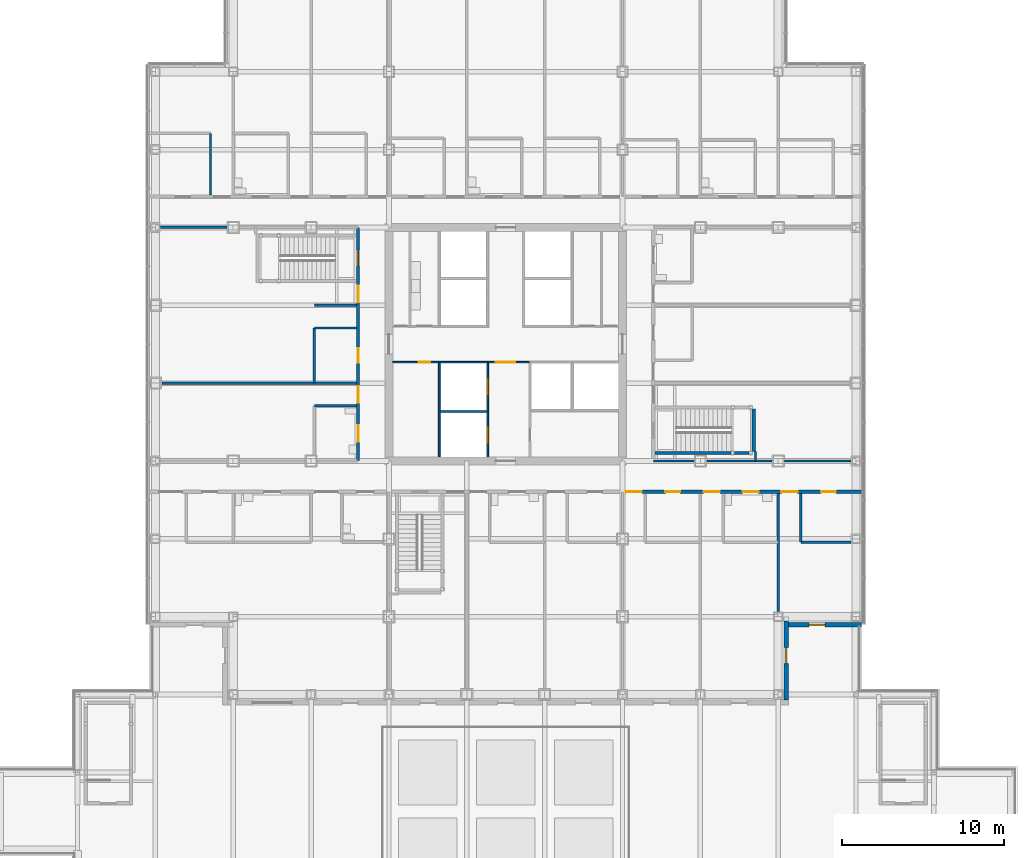
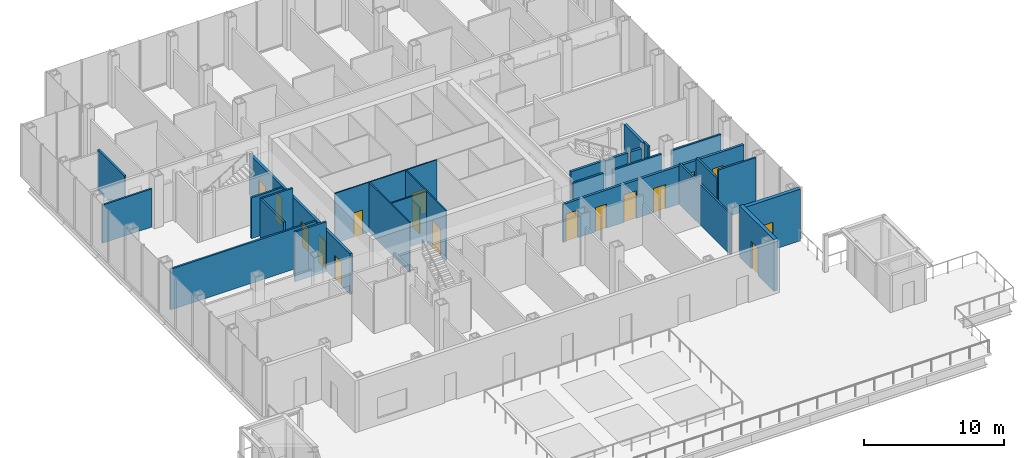
# One storey, part 17 of 24: 26 walls, 17 doors, 17 openings.
"""IFC4 building model written with IfcOpenShell, lengths in metres."""

from ifc_helpers import new_model, si_unit, direction, frame, frame_2d, origin, place, context, subcontext, project, spatial, rectangle, extrude, material, layer, layer_set, type_object, element, fill, save


model = new_model("IFC4")

# Units and contexts
model_context = context("Model", 3, precision=1e-05, world=origin(), true_north=direction((0.0, 1.0)))
body_context = subcontext(model_context, "Body", "Model", "MODEL_VIEW")
ifc_project = project(units=[si_unit("LENGTHUNIT", "METRE"), si_unit("AREAUNIT", "SQUARE_METRE"), si_unit("VOLUMEUNIT", "CUBIC_METRE"), si_unit("PLANEANGLEUNIT", "RADIAN"), si_unit("MASSUNIT", "GRAM", prefix="KILO")], contexts=[model_context])

# Site, building, storey
site_placement = place(None, origin())
site = spatial("IfcSite", under=ifc_project, at=site_placement, CompositionType="ELEMENT")
building_placement = place(site_placement, origin())
building = spatial("IfcBuilding", under=site, at=building_placement, Name="Kvirike Care Tower", CompositionType="ELEMENT")
storey_placement = place(building_placement, frame((0.0, 0.0, 22.5)))
storey = spatial("IfcBuildingStorey", under=building, at=storey_placement, Name="L05", CompositionType="ELEMENT", Elevation=22.5)

# Walls
ifc_material_1 = material(Name="Plasterboard partition", Category="gypsum")
ifc_layer_1 = layer(ifc_material_1, 0.14990234375)
ifc_layer_set_1 = layer_set([ifc_layer_1], Name="CLINIC PARTITION 150")
wall_type_1 = type_object("IfcWallType", Name="CLINIC PARTITION 150", PredefinedType="PARTITIONING", material=ifc_layer_set_1)
wall_1_placement = place(storey_placement, frame((9.800048828125, 37.0, 0.0), z_axis=(0.0, 0.0, 1.0), x_axis=(1.0, 0.0, 0.0)))
element("IfcWall", 1, at=wall_1_placement, inside=storey, type_object=wall_type_1, Name="Clinic Partition 150 L05", PredefinedType="PARTITIONING", context=body_context, shape_type="SweptSolid", body=[
    extrude(rectangle(XDim=2.599853515625, YDim=0.14990234375, at=frame_2d((1.2998046875, 0.0))), origin(), (0.0, 0.0, 1.0), 4.330078125),
])
wall_2_placement = place(storey_placement, frame((9.800048828125, 37.0, 0.0), z_axis=(0.0, 0.0, 1.0), x_axis=(0.0, -1.0, 0.0)))
element("IfcWall", 2, at=wall_2_placement, inside=storey, type_object=wall_type_1, Name="Clinic Partition 150 L05", PredefinedType="PARTITIONING", context=body_context, shape_type="SweptSolid", body=[
    extrude(rectangle(XDim=3.39990234375, YDim=0.14990234375, at=frame_2d((1.699951171875, 0.0))), origin(), (0.0, 0.0, 1.0), 4.330078125),
])
wall_3_placement = place(storey_placement, frame((9.800048828125, 32.199951171875, 0.0), z_axis=(0.0, 0.0, 1.0), x_axis=(1.0, 0.0, 0.0)))
element("IfcWall", 3, at=wall_3_placement, inside=storey, type_object=wall_type_1, Name="Clinic Partition 150 L05", PredefinedType="PARTITIONING", context=body_context, shape_type="SweptSolid", body=[
    extrude(rectangle(XDim=2.599853515625, YDim=0.14990234375, at=frame_2d((1.2998046875, 0.0))), origin(), (0.0, 0.0, 1.0), 4.330078125),
])
wall_4_placement = place(storey_placement, frame((9.800048828125, 38.39990234375, 0.0), z_axis=(0.0, 0.0, 1.0), x_axis=(1.0, 0.0, 0.0)))
element("IfcWall", 4, at=wall_4_placement, inside=storey, type_object=wall_type_1, Name="Clinic Partition 150 L05", PredefinedType="PARTITIONING", context=body_context, shape_type="SweptSolid", body=[
    extrude(rectangle(XDim=2.599853515625, YDim=0.14990234375, at=frame_2d((1.2998046875, 0.0))), origin(), (0.0, 0.0, 1.0), 3.550048828125),
])
wall_5_placement = place(storey_placement, frame((0.39501953125, 33.60009765625, 0.0), z_axis=(0.0, 0.0, 1.0), x_axis=(1.0, 0.0, 0.0)))
element("IfcWall", 5, at=wall_5_placement, inside=storey, type_object=wall_type_1, Name="Clinic Partition 150 L05", PredefinedType="PARTITIONING", context=body_context, shape_type="SweptSolid", body=[
    extrude(rectangle(XDim=12.0048828125, YDim=0.14990234375, at=frame_2d((6.00244140625, 0.0))), origin(), (0.0, 0.0, 1.0), 3.550048828125),
])
wall_6_placement = place(storey_placement, frame((3.39990234375, 49.0, 0.0), z_axis=(0.0, 0.0, 1.0), x_axis=(0.0, -1.0, 0.0)))
element("IfcWall", 6, at=wall_6_placement, inside=storey, type_object=wall_type_1, Name="Clinic Partition 150 L05", PredefinedType="PARTITIONING", context=body_context, shape_type="SweptSolid", body=[
    extrude(rectangle(XDim=3.800048828125, YDim=0.14990234375, at=frame_2d((1.89990234375, 0.0))), origin(), (0.0, 0.0, 1.0), 3.550048828125),
])
wall_7_placement = place(storey_placement, frame((39.800048828125, 23.800048828125, 0.0), z_axis=(0.0, 0.0, 1.0), x_axis=(0.0, 1.0, 0.0)))
element("IfcWall", 7, at=wall_7_placement, inside=storey, type_object=wall_type_1, Name="Clinic Partition 150 L05", PredefinedType="PARTITIONING", context=body_context, shape_type="SweptSolid", body=[
    extrude(rectangle(XDim=3.0, YDim=0.14990234375, at=frame_2d((1.5, 0.0))), origin(), (0.0, 0.0, 1.0), 3.550048828125),
])
wall_8_placement = place(storey_placement, frame((39.800048828125, 23.800048828125, 0.0), z_axis=(0.0, 0.0, 1.0), x_axis=(1.0, 0.0, 0.0)))
element("IfcWall", 8, at=wall_8_placement, inside=storey, type_object=wall_type_1, Name="Clinic Partition 150 L05", PredefinedType="PARTITIONING", context=body_context, shape_type="SweptSolid", body=[
    extrude(rectangle(XDim=3.079833984375, YDim=0.14990234375, at=frame_2d((1.5400390625, 0.0))), origin(), (0.0, 0.0, 1.0), 4.330078125),
])
wall_9_placement = place(storey_placement, frame((38.39990234375, 19.52001953125, 0.0), z_axis=(0.0, 0.0, 1.0), x_axis=(0.0, 1.0, 0.0)))
element("IfcWall", 9, at=wall_9_placement, inside=storey, type_object=wall_type_1, Name="Clinic Partition 150 L05", PredefinedType="PARTITIONING", context=body_context, shape_type="SweptSolid", body=[
    extrude(rectangle(XDim=7.280029296875, YDim=0.14990234375, at=frame_2d((3.64013671875, 0.0))), origin(), (0.0, 0.0, 1.0), 3.550048828125),
])
wall_10_placement = place(storey_placement, frame((37.0, 28.800048828125, 0.0), z_axis=(0.0, 0.0, 1.0), x_axis=(0.0, 1.0, 0.0)))
element("IfcWall", 10, at=wall_10_placement, inside=storey, type_object=wall_type_1, Name="Clinic Partition 150 L05", PredefinedType="PARTITIONING", context=body_context, shape_type="SweptSolid", body=[
    extrude(rectangle(XDim=0.599853515625, YDim=0.14990234375, at=frame_2d((0.2998046875, 0.0))), origin(), (0.0, 0.0, 1.0), 4.330078125),
])
for number, where, z_axis, x_axis, name in (
    (11, (4.405029296875, 43.199951171875, 0.0), (0.0, 0.0, 1.0), (-1.0, 0.0, 0.0), "Clinic Partition 150 L05"),
    (12, (42.8798828125, 28.800048828125, 0.0), (0.0, 0.0, 1.0), (-1.0, 0.0, 0.0), "Clinic Partition 150 L05"),
):
    element("IfcWall", number, at=place(storey_placement, frame(where, z_axis=z_axis, x_axis=x_axis)), inside=storey, type_object=wall_type_1, Name=name, PredefinedType="PARTITIONING", context=body_context, shape_type="SweptSolid", body=[
        extrude(rectangle(XDim=4.0849609375, YDim=0.14990234375, at=frame_2d((2.04248046875, 0.0))), origin(), (0.0, 0.0, 1.0), 3.320068359375),
    ])
wall_11_placement = place(storey_placement, frame((38.0048828125, 28.800048828125, 0.0), z_axis=(0.0, 0.0, 1.0), x_axis=(-1.0, 0.0, 0.0)))
element("IfcWall", 13, at=wall_11_placement, inside=storey, type_object=wall_type_1, Name="Clinic Partition 150 L05", PredefinedType="PARTITIONING", context=body_context, shape_type="SweptSolid", body=[
    extrude(rectangle(XDim=4.009765625, YDim=0.14990234375, at=frame_2d((2.0048828125, 0.0))), origin(), (0.0, 0.0, 1.0), 3.320068359375),
])
wall_12_placement = place(storey_placement, frame((33.205078125, 28.800048828125, 0.0), z_axis=(0.0, 0.0, 1.0), x_axis=(-1.0, 0.0, 0.0)))
element("IfcWall", 14, at=wall_12_placement, inside=storey, type_object=wall_type_1, Name="Clinic Partition 150 L05", PredefinedType="PARTITIONING", context=body_context, shape_type="SweptSolid", body=[
    extrude(rectangle(XDim=2.505126953125, YDim=0.14990234375, at=frame_2d((1.25244140625, 0.0))), origin(), (0.0, 0.0, 1.0), 3.320068359375),
])

# Wall, openings, doors
ifc_material_2 = material(Name="Plasterboard corridor wall", Category="gypsum")
ifc_layer_2 = layer(ifc_material_2, 0.199951171875)
ifc_layer_set_2 = layer_set([ifc_layer_2], Name="CORRIDOR WALL 200")
wall_type_2 = type_object("IfcWallType", Name="CORRIDOR WALL 200", PredefinedType="PARTITIONING", material=ifc_layer_set_2)
wall_13_placement = place(storey_placement, frame((12.5, 43.199951171875, 0.0), z_axis=(0.0, 0.0, 1.0), x_axis=(0.0, -1.0, 0.0)))
wall_13 = element("IfcWall", 15, at=wall_13_placement, inside=storey, type_object=wall_type_2, Name="Corridor Wall 200 L05", PredefinedType="PARTITIONING", context=body_context, shape_type="SweptSolid", body=[
    extrude(rectangle(XDim=14.39990234375, YDim=0.199951171875, at=frame_2d((7.199951171875, 0.0))), origin(), (0.0, 0.0, 1.0), 3.550048828125),
])
opening_1_placement = place(wall_13_placement, frame((1.39990234375, 0.0, 0.0)))
opening_1 = element("IfcOpeningElement", 16, at=opening_1_placement, cuts=wall_13, Name="Opening 05-006", PredefinedType="OPENING", context=body_context, shape_type="SweptSolid", body=[
    extrude(rectangle(XDim=1.0, YDim=2.10009765625, at=frame_2d((0.5, 1.050048828125))), frame((0.0, 0.110595703125, 0.0), z_axis=(0.0, -1.0, 0.0), x_axis=(1.0, 0.0, 0.0)), (0.0, 0.0, 1.0), 0.220947265625),
])
opening_2_placement = place(wall_13_placement, frame((3.60009765625, 0.0, 0.0)))
opening_2 = element("IfcOpeningElement", 17, at=opening_2_placement, cuts=wall_13, Name="Opening 05-007", PredefinedType="OPENING", context=body_context, shape_type="SweptSolid", body=[
    extrude(rectangle(XDim=1.0, YDim=2.39990234375, at=frame_2d((0.5, 1.199951171875))), frame((0.0, 0.110595703125, 0.0), z_axis=(0.0, -1.0, 0.0), x_axis=(1.0, 0.0, 0.0)), (0.0, 0.0, 1.0), 0.220947265625),
])
opening_3_placement = place(wall_13_placement, frame((9.800048828125, 0.0, 0.0)))
opening_3 = element("IfcOpeningElement", 18, at=opening_3_placement, cuts=wall_13, Name="Opening 05-008", PredefinedType="OPENING", context=body_context, shape_type="SweptSolid", body=[
    extrude(rectangle(XDim=1.0, YDim=2.39990234375, at=frame_2d((0.5, 1.199951171875))), frame((0.0, 0.110595703125, 0.0), z_axis=(0.0, -1.0, 0.0), x_axis=(1.0, 0.0, 0.0)), (0.0, 0.0, 1.0), 0.220947265625),
])
opening_4_placement = place(wall_13_placement, frame((7.449951171875, 0.0, 0.0)))
opening_4 = element("IfcOpeningElement", 19, at=opening_4_placement, cuts=wall_13, Name="Opening 05-009", PredefinedType="OPENING", context=body_context, shape_type="SweptSolid", body=[
    extrude(rectangle(XDim=0.89990234375, YDim=2.10009765625, at=frame_2d((0.449951171875, 1.050048828125))), frame((0.0, 0.110595703125, 0.0), z_axis=(0.0, -1.0, 0.0), x_axis=(1.0, 0.0, 0.0)), (0.0, 0.0, 1.0), 0.220947265625),
])
opening_5_placement = place(wall_13_placement, frame((12.199951171875, 0.0, 0.0)))
opening_5 = element("IfcOpeningElement", 20, at=opening_5_placement, cuts=wall_13, Name="Opening 05-010", PredefinedType="OPENING", context=body_context, shape_type="SweptSolid", body=[
    extrude(rectangle(XDim=1.0, YDim=2.10009765625, at=frame_2d((0.5, 1.050048828125))), frame((0.0, 0.110595703125, 0.0), z_axis=(0.0, -1.0, 0.0), x_axis=(1.0, 0.0, 0.0)), (0.0, 0.0, 1.0), 0.220947265625),
])
ifc_material_3 = material(Name="Timber door set", Category="wood")
door_type_1 = type_object("IfcDoorType", Name="CONSULTING ROOM DOOR 1000", OperationType="SINGLE_SWING_LEFT", PredefinedType="DOOR", material=ifc_material_3)
door_1_placement = place(opening_2_placement, frame((1.0, 0.0, 0.0), z_axis=(0.0, 0.0, 1.0), x_axis=(-1.0, 0.0, 0.0)))
door_1 = element("IfcDoor", 21, at=door_1_placement, inside=storey, type_object=door_type_1, Name="Library door", OperationType="SINGLE_SWING_LEFT", OverallHeight=2.39990234375, OverallWidth=1.0, PredefinedType="DOOR", context=body_context, shape_type="SweptSolid", body=[
    extrude(rectangle(XDim=1.0, YDim=2.39990234375, at=frame_2d((0.5, 1.199951171875))), frame((0.0, 0.02685546875, 0.0), z_axis=(0.0, -1.0, 0.0), x_axis=(1.0, 0.0, 0.0)), (0.0, 0.0, 1.0), 0.053955078125),
])
fill(opening_2, door_1)
door_2_placement = place(opening_3_placement, frame((1.0, 0.0, 0.0), z_axis=(0.0, 0.0, 1.0), x_axis=(-1.0, 0.0, 0.0)))
door_2 = element("IfcDoor", 22, at=door_2_placement, inside=storey, type_object=door_type_1, Name="Computer room door", OperationType="SINGLE_SWING_LEFT", OverallHeight=2.39990234375, OverallWidth=1.0, PredefinedType="DOOR", context=body_context, shape_type="SweptSolid", body=[
    extrude(rectangle(XDim=1.0, YDim=2.39990234375, at=frame_2d((0.5, 1.199951171875))), frame((0.0, 0.02685546875, 0.0), z_axis=(0.0, -1.0, 0.0), x_axis=(1.0, 0.0, 0.0)), (0.0, 0.0, 1.0), 0.053955078125),
])
fill(opening_3, door_2)
ifc_material_4 = material(Name="Timber door set", Category="wood")
door_type_2 = type_object("IfcDoorType", Name="STAIR DOOR 1000", OperationType="SINGLE_SWING_LEFT", PredefinedType="DOOR", material=ifc_material_4)
door_3_placement = place(opening_1_placement, frame((1.0, 0.0, 0.0), z_axis=(0.0, 0.0, 1.0), x_axis=(-1.0, 0.0, 0.0)))
door_3 = element("IfcDoor", 23, at=door_3_placement, inside=storey, type_object=door_type_2, Name="Stair 1 door", OperationType="SINGLE_SWING_LEFT", OverallHeight=2.10009765625, OverallWidth=1.0, PredefinedType="DOOR", context=body_context, shape_type="SweptSolid", body=[
    extrude(rectangle(XDim=1.0, YDim=2.10009765625, at=frame_2d((0.5, 1.050048828125))), frame((0.0, 0.031982421875, 0.0), z_axis=(0.0, -1.0, 0.0), x_axis=(1.0, 0.0, 0.0)), (0.0, 0.0, 1.0), 0.06396484375),
])
fill(opening_1, door_3)
ifc_material_5 = material(Name="Timber door set", Category="wood")
door_type_3 = type_object("IfcDoorType", Name="STORE DOOR 900", OperationType="SINGLE_SWING_LEFT", PredefinedType="DOOR", material=ifc_material_5)
door_4_placement = place(opening_4_placement, frame((0.89990234375, 0.0, 0.0), z_axis=(0.0, 0.0, 1.0), x_axis=(-1.0, 0.0, 0.0)))
door_4 = element("IfcDoor", 24, at=door_4_placement, inside=storey, type_object=door_type_3, Name="Store door", OperationType="SINGLE_SWING_LEFT", OverallHeight=2.10009765625, OverallWidth=0.89990234375, PredefinedType="DOOR", context=body_context, shape_type="SweptSolid", body=[
    extrude(rectangle(XDim=0.89990234375, YDim=2.10009765625, at=frame_2d((0.449951171875, 1.050048828125))), frame((0.0, 0.02685546875, 0.0), z_axis=(0.0, -1.0, 0.0), x_axis=(1.0, 0.0, 0.0)), (0.0, 0.0, 1.0), 0.053955078125),
])
fill(opening_4, door_4)
ifc_material_6 = material(Name="Timber door set", Category="wood")
door_type_4 = type_object("IfcDoorType", Name="WC DOOR 1000", OperationType="SINGLE_SWING_LEFT", PredefinedType="DOOR", material=ifc_material_6)
door_5_placement = place(opening_5_placement, frame((1.0, 0.0, 0.0), z_axis=(0.0, 0.0, 1.0), x_axis=(-1.0, 0.0, 0.0)))
door_5 = element("IfcDoor", 25, at=door_5_placement, inside=storey, type_object=door_type_4, Name="Staff WC door", OperationType="SINGLE_SWING_RIGHT", OverallHeight=2.10009765625, OverallWidth=1.0, PredefinedType="DOOR", context=body_context, shape_type="SweptSolid", body=[
    extrude(rectangle(XDim=1.0, YDim=2.10009765625, at=frame_2d((0.5, 1.050048828125))), frame((0.0, 0.02685546875, 0.0), z_axis=(0.0, -1.0, 0.0), x_axis=(1.0, 0.0, 0.0)), (0.0, 0.0, 1.0), 0.053955078125),
])
fill(opening_5, door_5)

wall_14_placement = place(storey_placement, frame((28.800048828125, 26.89990234375, 0.0), z_axis=(0.0, 0.0, 1.0), x_axis=(1.0, 0.0, 0.0)))
wall_14 = element("IfcWall", 26, at=wall_14_placement, inside=storey, type_object=wall_type_2, Name="Corridor Wall 200 L05", PredefinedType="PARTITIONING", context=body_context, shape_type="SweptSolid", body=[
    extrude(rectangle(XDim=14.85498046875, YDim=0.199951171875, at=frame_2d((7.427490234375, 0.0))), origin(), (0.0, 0.0, 1.0), 3.320068359375),
])
opening_6_placement = place(wall_14_placement, frame((0.199951171875, 0.0, 0.0)))
opening_6 = element("IfcOpeningElement", 27, at=opening_6_placement, cuts=wall_14, Name="Opening 05-029", PredefinedType="OPENING", context=body_context, shape_type="SweptSolid", body=[
    extrude(rectangle(XDim=1.0, YDim=2.39990234375, at=frame_2d((0.5, 1.199951171875))), frame((0.0, 0.110595703125, 0.0), z_axis=(0.0, -1.0, 0.0), x_axis=(1.0, 0.0, 0.0)), (0.0, 0.0, 1.0), 0.220947265625),
])
opening_7_placement = place(wall_14_placement, frame((5.0, 0.0, 0.0)))
opening_7 = element("IfcOpeningElement", 28, at=opening_7_placement, cuts=wall_14, Name="Opening 05-030", PredefinedType="OPENING", context=body_context, shape_type="SweptSolid", body=[
    extrude(rectangle(XDim=1.0, YDim=2.39990234375, at=frame_2d((0.5, 1.199951171875))), frame((0.0, 0.110595703125, 0.0), z_axis=(0.0, -1.0, 0.0), x_axis=(1.0, 0.0, 0.0)), (0.0, 0.0, 1.0), 0.220947265625),
])
opening_8_placement = place(wall_14_placement, frame((9.800048828125, 0.0, 0.0)))
opening_8 = element("IfcOpeningElement", 29, at=opening_8_placement, cuts=wall_14, Name="Opening 05-031", PredefinedType="OPENING", context=body_context, shape_type="SweptSolid", body=[
    extrude(rectangle(XDim=1.0, YDim=2.39990234375, at=frame_2d((0.5, 1.199951171875))), frame((0.0, 0.110595703125, 0.0), z_axis=(0.0, -1.0, 0.0), x_axis=(1.0, 0.0, 0.0)), (0.0, 0.0, 1.0), 0.220947265625),
])
opening_9_placement = place(wall_14_placement, frame((2.64990234375, 0.0, 0.0)))
opening_9 = element("IfcOpeningElement", 30, at=opening_9_placement, cuts=wall_14, Name="Opening 05-032", PredefinedType="OPENING", context=body_context, shape_type="SweptSolid", body=[
    extrude(rectangle(XDim=0.89990234375, YDim=2.10009765625, at=frame_2d((0.449951171875, 1.050048828125))), frame((0.0, 0.110595703125, 0.0), z_axis=(0.0, -1.0, 0.0), x_axis=(1.0, 0.0, 0.0)), (0.0, 0.0, 1.0), 0.220947265625),
])
opening_10_placement = place(wall_14_placement, frame((7.39990234375, 0.0, 0.0)))
opening_10 = element("IfcOpeningElement", 31, at=opening_10_placement, cuts=wall_14, Name="Opening 05-033", PredefinedType="OPENING", context=body_context, shape_type="SweptSolid", body=[
    extrude(rectangle(XDim=1.0, YDim=2.10009765625, at=frame_2d((0.5, 1.050048828125))), frame((0.0, 0.110595703125, 0.0), z_axis=(0.0, -1.0, 0.0), x_axis=(1.0, 0.0, 0.0)), (0.0, 0.0, 1.0), 0.220947265625),
])
opening_11_placement = place(wall_14_placement, frame((12.25, 0.0, 0.0)))
opening_11 = element("IfcOpeningElement", 32, at=opening_11_placement, cuts=wall_14, Name="Opening 05-034", PredefinedType="OPENING", context=body_context, shape_type="SweptSolid", body=[
    extrude(rectangle(XDim=0.89990234375, YDim=2.10009765625, at=frame_2d((0.449951171875, 1.050048828125))), frame((0.0, 0.110595703125, 0.0), z_axis=(0.0, -1.0, 0.0), x_axis=(1.0, 0.0, 0.0)), (0.0, 0.0, 1.0), 0.220947265625),
])
door_6_placement = place(opening_6_placement, frame((1.0, 0.0, 0.0), z_axis=(0.0, 0.0, 1.0), x_axis=(-1.0, 0.0, 0.0)))
door_6 = element("IfcDoor", 33, at=door_6_placement, inside=storey, type_object=door_type_1, Name="Garden room door", OperationType="SINGLE_SWING_RIGHT", OverallHeight=2.39990234375, OverallWidth=1.0, PredefinedType="DOOR", context=body_context, shape_type="SweptSolid", body=[
    extrude(rectangle(XDim=1.0, YDim=2.39990234375, at=frame_2d((0.5, 1.199951171875))), frame((0.0, 0.02685546875, 0.0), z_axis=(0.0, -1.0, 0.0), x_axis=(1.0, 0.0, 0.0)), (0.0, 0.0, 1.0), 0.053955078125),
])
fill(opening_6, door_6)
door_7_placement = place(opening_7_placement, frame((1.0, 0.0, 0.0), z_axis=(0.0, 0.0, 1.0), x_axis=(-1.0, 0.0, 0.0)))
door_7 = element("IfcDoor", 34, at=door_7_placement, inside=storey, type_object=door_type_1, Name="Garden room door", OperationType="SINGLE_SWING_RIGHT", OverallHeight=2.39990234375, OverallWidth=1.0, PredefinedType="DOOR", context=body_context, shape_type="SweptSolid", body=[
    extrude(rectangle(XDim=1.0, YDim=2.39990234375, at=frame_2d((0.5, 1.199951171875))), frame((0.0, 0.02685546875, 0.0), z_axis=(0.0, -1.0, 0.0), x_axis=(1.0, 0.0, 0.0)), (0.0, 0.0, 1.0), 0.053955078125),
])
fill(opening_7, door_7)
door_8_placement = place(opening_8_placement, frame((1.0, 0.0, 0.0), z_axis=(0.0, 0.0, 1.0), x_axis=(-1.0, 0.0, 0.0)))
door_8 = element("IfcDoor", 35, at=door_8_placement, inside=storey, type_object=door_type_1, Name="Quiet room door", OperationType="SINGLE_SWING_RIGHT", OverallHeight=2.39990234375, OverallWidth=1.0, PredefinedType="DOOR", context=body_context, shape_type="SweptSolid", body=[
    extrude(rectangle(XDim=1.0, YDim=2.39990234375, at=frame_2d((0.5, 1.199951171875))), frame((0.0, 0.02685546875, 0.0), z_axis=(0.0, -1.0, 0.0), x_axis=(1.0, 0.0, 0.0)), (0.0, 0.0, 1.0), 0.053955078125),
])
fill(opening_8, door_8)
door_9_placement = place(opening_9_placement, frame((0.89990234375, 0.0, 0.0), z_axis=(0.0, 0.0, 1.0), x_axis=(-1.0, 0.0, 0.0)))
door_9 = element("IfcDoor", 36, at=door_9_placement, inside=storey, type_object=door_type_3, Name="Store door", OperationType="SINGLE_SWING_RIGHT", OverallHeight=2.10009765625, OverallWidth=0.89990234375, PredefinedType="DOOR", context=body_context, shape_type="SweptSolid", body=[
    extrude(rectangle(XDim=0.89990234375, YDim=2.10009765625, at=frame_2d((0.449951171875, 1.050048828125))), frame((0.0, 0.02685546875, 0.0), z_axis=(0.0, -1.0, 0.0), x_axis=(1.0, 0.0, 0.0)), (0.0, 0.0, 1.0), 0.053955078125),
])
fill(opening_9, door_9)
door_10_placement = place(opening_11_placement, frame((0.89990234375, 0.0, 0.0), z_axis=(0.0, 0.0, 1.0), x_axis=(-1.0, 0.0, 0.0)))
door_10 = element("IfcDoor", 37, at=door_10_placement, inside=storey, type_object=door_type_3, Name="Store door", OperationType="SINGLE_SWING_LEFT", OverallHeight=2.10009765625, OverallWidth=0.89990234375, PredefinedType="DOOR", context=body_context, shape_type="SweptSolid", body=[
    extrude(rectangle(XDim=0.89990234375, YDim=2.10009765625, at=frame_2d((0.449951171875, 1.050048828125))), frame((0.0, 0.02685546875, 0.0), z_axis=(0.0, -1.0, 0.0), x_axis=(1.0, 0.0, 0.0)), (0.0, 0.0, 1.0), 0.053955078125),
])
fill(opening_11, door_10)
door_11_placement = place(opening_10_placement, frame((1.0, 0.0, 0.0), z_axis=(0.0, 0.0, 1.0), x_axis=(-1.0, 0.0, 0.0)))
door_11 = element("IfcDoor", 38, at=door_11_placement, inside=storey, type_object=door_type_4, Name="Accessible WC door", OperationType="SINGLE_SWING_RIGHT", OverallHeight=2.10009765625, OverallWidth=1.0, PredefinedType="DOOR", context=body_context, shape_type="SweptSolid", body=[
    extrude(rectangle(XDim=1.0, YDim=2.10009765625, at=frame_2d((0.5, 1.050048828125))), frame((0.0, 0.02685546875, 0.0), z_axis=(0.0, -1.0, 0.0), x_axis=(1.0, 0.0, 0.0)), (0.0, 0.0, 1.0), 0.053955078125),
])
fill(opening_10, door_11)

ifc_material_7 = material(Name="Gypsum shaft wall system", Category="gypsum")
ifc_layer_3 = layer(ifc_material_7, 0.10009765625)
ifc_layer_set_3 = layer_set([ifc_layer_3], Name="SHAFT WALL 100")
wall_type_3 = type_object("IfcWallType", Name="SHAFT WALL 100", PredefinedType="SOLIDWALL", material=ifc_layer_set_3)
wall_15_placement = place(storey_placement, frame((20.5, 29.050048828125, 0.0), z_axis=(0.0, 0.0, 1.0), x_axis=(0.0, 1.0, 0.0)))
wall_15 = element("IfcWall", 39, at=wall_15_placement, inside=storey, type_object=wall_type_3, Name="Shaft Wall 100 L05", PredefinedType="SOLIDWALL", context=body_context, shape_type="SweptSolid", body=[
    extrude(rectangle(XDim=5.800048828125, YDim=0.10009765625, at=frame_2d((2.89990234375, 0.0))), origin(), (0.0, 0.0, 1.0), 4.330078125),
])
opening_12_placement = place(wall_15_placement, frame((0.800048828125, 0.0, 0.0)))
opening_12 = element("IfcOpeningElement", 40, at=opening_12_placement, cuts=wall_15, Name="Opening 05-049", PredefinedType="OPENING", context=body_context, shape_type="SweptSolid", body=[
    extrude(rectangle(XDim=1.10009765625, YDim=2.300048828125, at=frame_2d((0.550048828125, 1.14990234375))), frame((0.0, 0.060546875, 0.0), z_axis=(0.0, -1.0, 0.0), x_axis=(1.0, 0.0, 0.0)), (0.0, 0.0, 1.0), 0.12109375),
])
opening_13_placement = place(wall_15_placement, frame((3.77490234375, 0.0, 0.0)))
opening_13 = element("IfcOpeningElement", 41, at=opening_13_placement, cuts=wall_15, Name="Opening 05-050", PredefinedType="OPENING", context=body_context, shape_type="SweptSolid", body=[
    extrude(rectangle(XDim=1.10009765625, YDim=2.300048828125, at=frame_2d((0.550048828125, 1.14990234375))), frame((0.0, 0.060546875, 0.0), z_axis=(0.0, -1.0, 0.0), x_axis=(1.0, 0.0, 0.0)), (0.0, 0.0, 1.0), 0.12109375),
])
ifc_material_8 = material(Name="Aluminium door frame", Category="aluminium")
door_type_5 = type_object("IfcDoorType", Name="FIRE-FIGHTING LIFT LANDING DOOR 1100", OperationType="SLIDING_TO_LEFT", PredefinedType="DOOR", material=ifc_material_8)
door_12_placement = place(opening_12_placement, origin())
door_12 = element("IfcDoor", 42, at=door_12_placement, inside=storey, type_object=door_type_5, Name="Lift FF1 landing door", OperationType="SLIDING_TO_LEFT", OverallHeight=2.300048828125, OverallWidth=1.10009765625, PredefinedType="DOOR", context=body_context, shape_type="SweptSolid", body=[
    extrude(rectangle(XDim=1.10009765625, YDim=2.300048828125, at=frame_2d((0.550048828125, 1.14990234375))), frame((0.0, 0.0498046875, 0.0), z_axis=(0.0, -1.0, 0.0), x_axis=(1.0, 0.0, 0.0)), (0.0, 0.0, 1.0), 0.099609375),
])
fill(opening_12, door_12)
door_13_placement = place(opening_13_placement, origin())
door_13 = element("IfcDoor", 43, at=door_13_placement, inside=storey, type_object=door_type_5, Name="Lift FF2 landing door", OperationType="SLIDING_TO_LEFT", OverallHeight=2.300048828125, OverallWidth=1.10009765625, PredefinedType="DOOR", context=body_context, shape_type="SweptSolid", body=[
    extrude(rectangle(XDim=1.10009765625, YDim=2.300048828125, at=frame_2d((0.550048828125, 1.14990234375))), frame((0.0, 0.0498046875, 0.0), z_axis=(0.0, -1.0, 0.0), x_axis=(1.0, 0.0, 0.0)), (0.0, 0.0, 1.0), 0.099609375),
])
fill(opening_13, door_13)

# Wall, opening, door
wall_16_placement = place(storey_placement, frame((14.64990234375, 34.89990234375, 0.0), z_axis=(0.0, 0.0, 1.0), x_axis=(1.0, 0.0, 0.0)))
wall_16 = element("IfcWall", 44, at=wall_16_placement, inside=storey, type_object=wall_type_3, Name="Shaft Wall 100 L05", PredefinedType="SOLIDWALL", context=body_context, shape_type="SweptSolid", body=[
    extrude(rectangle(XDim=5.900146484375, YDim=0.10009765625, at=frame_2d((2.9501953125, 0.0))), origin(), (0.0, 0.0, 1.0), 4.330078125),
])
opening_14_placement = place(wall_16_placement, frame((1.60009765625, 0.0, 0.0)))
opening_14 = element("IfcOpeningElement", 45, at=opening_14_placement, cuts=wall_16, Name="Opening 05-054", PredefinedType="OPENING", context=body_context, shape_type="SweptSolid", body=[
    extrude(rectangle(XDim=0.699951171875, YDim=2.10009765625, at=frame_2d((0.35009765625, 1.050048828125))), frame((0.0, 0.060546875, 0.0), z_axis=(0.0, -1.0, 0.0), x_axis=(1.0, 0.0, 0.0)), (0.0, 0.0, 1.0), 0.12109375),
])
ifc_material_9 = material(Name="Timber door set", Category="wood")
door_type_6 = type_object("IfcDoorType", Name="RISER DOOR 700", OperationType="SINGLE_SWING_LEFT", PredefinedType="DOOR", material=ifc_material_9)
door_14_placement = place(opening_14_placement, frame((0.699951171875, 0.0, 0.0), z_axis=(0.0, 0.0, 1.0), x_axis=(-1.0, 0.0, 0.0)))
door_14 = element("IfcDoor", 46, at=door_14_placement, inside=storey, type_object=door_type_6, Name="Riser door", OperationType="SINGLE_SWING_RIGHT", OverallHeight=2.10009765625, OverallWidth=0.699951171875, PredefinedType="DOOR", context=body_context, shape_type="SweptSolid", body=[
    extrude(rectangle(XDim=0.699951171875, YDim=2.10009765625, at=frame_2d((0.35009765625, 1.050048828125))), frame((0.0, 0.02685546875, 0.0), z_axis=(0.0, -1.0, 0.0), x_axis=(1.0, 0.0, 0.0)), (0.0, 0.0, 1.0), 0.053955078125),
])
fill(opening_14, door_14)

wall_17_placement = place(storey_placement, frame((20.550048828125, 34.89990234375, 0.0), z_axis=(0.0, 0.0, 1.0), x_axis=(1.0, 0.0, 0.0)))
wall_17 = element("IfcWall", 47, at=wall_17_placement, inside=storey, type_object=wall_type_3, Name="Shaft Wall 100 L05", PredefinedType="SOLIDWALL", context=body_context, shape_type="SweptSolid", body=[
    extrude(rectangle(XDim=2.5, YDim=0.10009765625, at=frame_2d((1.25, 0.0))), origin(), (0.0, 0.0, 1.0), 4.330078125),
])
opening_15_placement = place(wall_17_placement, frame((0.449951171875, 0.0, 0.0)))
opening_15 = element("IfcOpeningElement", 48, at=opening_15_placement, cuts=wall_17, Name="Opening 05-059", PredefinedType="OPENING", context=body_context, shape_type="SweptSolid", body=[
    extrude(rectangle(XDim=1.199951171875, YDim=2.10009765625, at=frame_2d((0.60009765625, 1.050048828125))), frame((0.0, 0.060546875, 0.0), z_axis=(0.0, -1.0, 0.0), x_axis=(1.0, 0.0, 0.0)), (0.0, 0.0, 1.0), 0.12109375),
])
ifc_material_10 = material(Name="Timber door set", Category="wood")
door_type_7 = type_object("IfcDoorType", Name="CORE DOOR 1200", OperationType="SINGLE_SWING_LEFT", PredefinedType="DOOR", material=ifc_material_10)
door_15_placement = place(opening_15_placement, frame((1.199951171875, 0.0, 0.0), z_axis=(0.0, 0.0, 1.0), x_axis=(-1.0, 0.0, 0.0)))
door_15 = element("IfcDoor", 49, at=door_15_placement, inside=storey, type_object=door_type_7, Name="Fire-fighting lobby door", OperationType="SINGLE_SWING_LEFT", OverallHeight=2.10009765625, OverallWidth=1.199951171875, PredefinedType="DOOR", context=body_context, shape_type="SweptSolid", body=[
    extrude(rectangle(XDim=1.199951171875, YDim=2.10009765625, at=frame_2d((0.60009765625, 1.050048828125))), frame((0.0, 0.02685546875, 0.0), z_axis=(0.0, -1.0, 0.0), x_axis=(1.0, 0.0, 0.0)), (0.0, 0.0, 1.0), 0.053955078125),
])
fill(opening_15, door_15)

# Walls
wall_18_placement = place(storey_placement, frame((17.5, 29.050048828125, 0.0), z_axis=(0.0, 0.0, 1.0), x_axis=(0.0, 1.0, 0.0)))
element("IfcWall", 50, at=wall_18_placement, inside=storey, type_object=wall_type_3, Name="Shaft Wall 100 L05", PredefinedType="SOLIDWALL", context=body_context, shape_type="SweptSolid", body=[
    extrude(rectangle(XDim=5.800048828125, YDim=0.10009765625, at=frame_2d((2.89990234375, 0.0))), origin(), (0.0, 0.0, 1.0), 4.330078125),
])
wall_19_placement = place(storey_placement, frame((17.550048828125, 31.85009765625, 0.0), z_axis=(0.0, 0.0, 1.0), x_axis=(1.0, 0.0, 0.0)))
element("IfcWall", 51, at=wall_19_placement, inside=storey, type_object=wall_type_3, Name="Shaft Wall 100 L05", PredefinedType="SOLIDWALL", context=body_context, shape_type="SweptSolid", body=[
    extrude(rectangle(XDim=2.89990234375, YDim=0.10009765625, at=frame_2d((1.449951171875, 0.0))), origin(), (0.0, 0.0, 1.0), 4.330078125),
])
ifc_material_11 = material(Name="Concrete C40/50", Category="concrete")
ifc_layer_4 = layer(ifc_material_11, 0.199951171875)
ifc_layer_set_4 = layer_set([ifc_layer_4], Name="STAIR WALL 200")
wall_type_4 = type_object("IfcWallType", Name="STAIR WALL 200", PredefinedType="SOLIDWALL", material=ifc_layer_set_4)
wall_20_placement = place(storey_placement, frame((36.60009765625, 29.300048828125, 0.0), z_axis=(0.0, 0.0, 1.0), x_axis=(-1.0, 0.0, 0.0)))
element("IfcWall", 52, at=wall_20_placement, inside=storey, type_object=wall_type_4, Name="Stair Wall 200 L05", PredefinedType="SOLIDWALL", context=body_context, shape_type="SweptSolid", body=[
    extrude(rectangle(XDim=0.900146484375, YDim=0.199951171875, at=frame_2d((0.4501953125, 0.0))), origin(), (0.0, 0.0, 1.0), 3.989990234375),
])
wall_21_placement = place(storey_placement, frame((35.5, 29.300048828125, 0.0), z_axis=(0.0, 0.0, 1.0), x_axis=(-1.0, 0.0, 0.0)))
element("IfcWall", 53, at=wall_21_placement, inside=storey, type_object=wall_type_4, Name="Stair Wall 200 L05", PredefinedType="SOLIDWALL", context=body_context, shape_type="SweptSolid", body=[
    extrude(rectangle(XDim=4.699951171875, YDim=0.199951171875, at=frame_2d((2.35009765625, 0.0))), origin(), (0.0, 0.0, 1.0), 3.989990234375),
])
wall_22_placement = place(storey_placement, frame((36.89990234375, 29.39990234375, 0.0), z_axis=(0.0, 0.0, 1.0), x_axis=(0.0, 1.0, 0.0)))
element("IfcWall", 54, at=wall_22_placement, inside=storey, type_object=wall_type_4, Name="Stair Wall 200 L05", PredefinedType="SOLIDWALL", context=body_context, shape_type="SweptSolid", body=[
    extrude(rectangle(XDim=2.60009765625, YDim=0.199951171875, at=frame_2d((1.300048828125, 0.0))), origin(), (0.0, 0.0, 1.0), 4.330078125),
])

# Wall, opening, door
ifc_material_12 = material(Name="Bronze-clad insulated blockwork wall", Category="masonry")
ifc_layer_5 = layer(ifc_material_12, 0.300048828125)
ifc_layer_set_5 = layer_set([ifc_layer_5], Name="TERRACE WALL 300")
wall_type_5 = type_object("IfcWallType", Name="TERRACE WALL 300", PredefinedType="SOLIDWALL", material=ifc_layer_set_5)
wall_23_placement = place(storey_placement, frame((38.89990234375, 14.050048828125, 0.0), z_axis=(0.0, 0.0, 1.0), x_axis=(0.0, 1.0, 0.0)))
wall_23 = element("IfcWall", 55, at=wall_23_placement, inside=storey, type_object=wall_type_5, Name="Terrace wall L05 face 5", PredefinedType="SOLIDWALL", context=body_context, shape_type="SweptSolid", body=[
    extrude(rectangle(XDim=4.89990234375, YDim=0.300048828125, at=frame_2d((2.449951171875, 0.0))), origin(), (0.0, 0.0, 1.0), 4.5),
])
opening_16_placement = place(wall_23_placement, frame((2.25, 0.0, 0.0)))
opening_16 = element("IfcOpeningElement", 56, at=opening_16_placement, cuts=wall_23, Name="Opening 05-809", PredefinedType="OPENING", context=body_context, shape_type="SweptSolid", body=[
    extrude(rectangle(XDim=1.0, YDim=2.39990234375, at=frame_2d((0.5, 1.199951171875))), frame((0.0, 0.16064453125, 0.0), z_axis=(0.0, -1.0, 0.0), x_axis=(1.0, 0.0, 0.0)), (0.0, 0.0, 1.0), 0.321044921875),
])
ifc_material_13 = material(Name="Aluminium door frame", Category="aluminium")
door_type_8 = type_object("IfcDoorType", Name="TERRACE DOOR 1000", OperationType="SINGLE_SWING_LEFT", PredefinedType="DOOR", material=ifc_material_13)
door_16_placement = place(opening_16_placement, origin())
door_16 = element("IfcDoor", 57, at=door_16_placement, inside=storey, type_object=door_type_8, Name="Garden room terrace door", OperationType="SINGLE_SWING_LEFT", OverallHeight=2.39990234375, OverallWidth=1.0, PredefinedType="DOOR", context=body_context, shape_type="SweptSolid", body=[
    extrude(rectangle(XDim=1.0, YDim=2.39990234375, at=frame_2d((0.5, 1.199951171875))), frame((0.0, 0.03515625, 0.0), z_axis=(0.0, -1.0, 0.0), x_axis=(1.0, 0.0, 0.0)), (0.0, 0.0, 1.0), 0.070068359375),
])
fill(opening_16, door_16)

wall_24_placement = place(storey_placement, frame((39.050048828125, 18.699951171875, 0.0), z_axis=(0.0, 0.0, 1.0), x_axis=(1.0, 0.0, 0.0)))
wall_24 = element("IfcWall", 58, at=wall_24_placement, inside=storey, type_object=wall_type_5, Name="Terrace wall L05 face 6", PredefinedType="SOLIDWALL", context=body_context, shape_type="SweptSolid", body=[
    extrude(rectangle(XDim=4.5, YDim=0.300048828125, at=frame_2d((2.25, 0.0))), origin(), (0.0, 0.0, 1.0), 4.5),
])
opening_17_placement = place(wall_24_placement, frame((1.25, 0.0, 0.0)))
opening_17 = element("IfcOpeningElement", 59, at=opening_17_placement, cuts=wall_24, Name="Opening 05-810", PredefinedType="OPENING", context=body_context, shape_type="SweptSolid", body=[
    extrude(rectangle(XDim=1.0, YDim=2.39990234375, at=frame_2d((0.5, 1.199951171875))), frame((0.0, 0.16064453125, 0.0), z_axis=(0.0, -1.0, 0.0), x_axis=(1.0, 0.0, 0.0)), (0.0, 0.0, 1.0), 0.321044921875),
])
door_17_placement = place(opening_17_placement, origin())
door_17 = element("IfcDoor", 60, at=door_17_placement, inside=storey, type_object=door_type_8, Name="Quiet room terrace door", OperationType="SINGLE_SWING_LEFT", OverallHeight=2.39990234375, OverallWidth=1.0, PredefinedType="DOOR", context=body_context, shape_type="SweptSolid", body=[
    extrude(rectangle(XDim=1.0, YDim=2.39990234375, at=frame_2d((0.5, 1.199951171875))), frame((0.0, 0.03515625, 0.0), z_axis=(0.0, -1.0, 0.0), x_axis=(1.0, 0.0, 0.0)), (0.0, 0.0, 1.0), 0.070068359375),
])
fill(opening_17, door_17)

save(model, "model.ifc")
